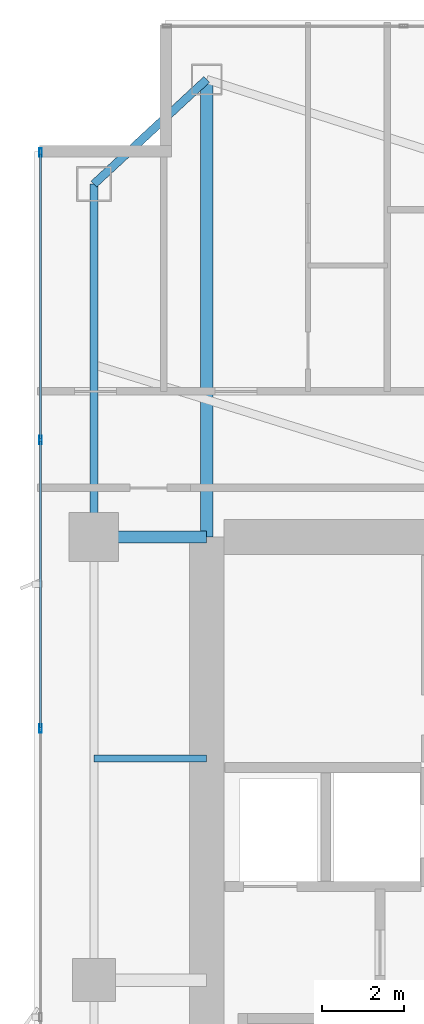
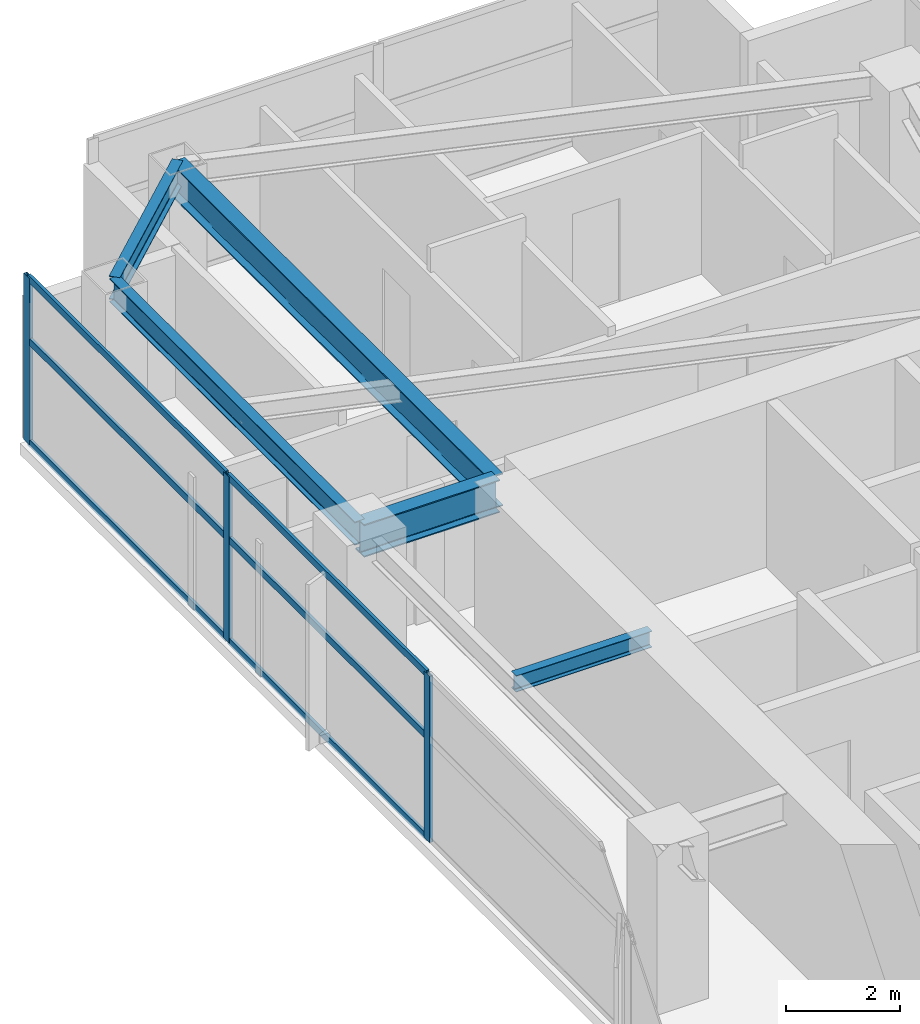
# One storey, part 16 of 28: 9 members, 5 beams, 1 element without a shape of its own.
"""IFC4 building model written with IfcOpenShell, lengths in metres."""

from ifc_helpers import new_model, si_unit, direction, frame, origin, origin_2d, place, context, subcontext, project, spatial, hollow_rectangle, i_section, extrude, material, layer, layer_set, material_profile, profile_set, type_object, element, aggregate, save


model = new_model("IFC4")

# Units and contexts
model_context = context("Model", 3, precision=1e-05, world=origin(), true_north=direction((0.0, 1.0)))
body_context = subcontext(model_context, "Body", "Model", "MODEL_VIEW")
ifc_project = project(units=[si_unit("LENGTHUNIT", "METRE"), si_unit("AREAUNIT", "SQUARE_METRE"), si_unit("VOLUMEUNIT", "CUBIC_METRE"), si_unit("PLANEANGLEUNIT", "RADIAN"), si_unit("MASSUNIT", "GRAM", prefix="KILO")], contexts=[model_context])

# Site, building, storey
site_placement = place(None, origin())
site = spatial("IfcSite", under=ifc_project, at=site_placement, CompositionType="ELEMENT")
building_placement = place(site_placement, origin())
building = spatial("IfcBuilding", under=site, at=building_placement, Name="Calvorn Quay Hotel", CompositionType="ELEMENT")
storey_placement = place(building_placement, frame((0.0, 0.0, 127.800048828125)))
storey = spatial("IfcBuildingStorey", under=building, at=storey_placement, Name="L31", CompositionType="ELEMENT", Elevation=127.800048828125)

# Beams
ifc_material_1 = material(Name="Steel Q390GJC", Category="steel")
ifc_material_profile_1 = material_profile(ifc_material_1, i_section(OverallWidth=0.300048828125, OverallDepth=0.699951171875, WebThickness=0.012939453125, FlangeThickness=0.02392578125, FilletRadius=0.02392578125, at=origin_2d()), Name="HN700x300x13x24")
ifc_profile_set_1 = profile_set([ifc_material_profile_1], Name="Steel Q390GJC")
beam_type_1 = type_object("IfcBeamType", Name="BM-GIRD-MAIN", PredefinedType="BEAM", material=ifc_profile_set_1)
beam_1_placement = place(storey_placement, frame((1.449951171875, 38.39990234375, 3.18994140625), z_axis=(1.0, 0.0, 0.0), x_axis=(0.0, 1.0, 0.0)))
element("IfcBeam", 1, at=beam_1_placement, inside=storey, type_object=beam_type_1, Name="Beam BG-L31-W3", PredefinedType="BEAM", context=body_context, shape_type="SweptSolid", body=[
    extrude(i_section(OverallWidth=0.300048828125, OverallDepth=0.699951171875, WebThickness=0.012939453125, FlangeThickness=0.02392578125, FilletRadius=0.02392578125, at=origin_2d()), origin(), (0.0, 0.0, 1.0), 2.75),
])
beam_2_placement = place(storey_placement, frame((4.199951171875, 49.550048828125, 3.18994140625), z_axis=(0.0, -1.0, 0.0), x_axis=(1.0, 0.0, 0.0)))
element("IfcBeam", 2, at=beam_2_placement, inside=storey, type_object=beam_type_1, Name="Beam BG-L31-W5", PredefinedType="BEAM", context=body_context, shape_type="SweptSolid", body=[
    extrude(i_section(OverallWidth=0.300048828125, OverallDepth=0.699951171875, WebThickness=0.012939453125, FlangeThickness=0.02392578125, FilletRadius=0.02392578125, at=origin_2d()), origin(), (0.0, 0.0, 1.0), 11.150146484375),
])
ifc_material_2 = material(Name="Steel Q355B", Category="steel")
ifc_material_profile_2 = material_profile(ifc_material_2, i_section(OverallWidth=0.175048828125, OverallDepth=0.35009765625, WebThickness=0.007080078125, FlangeThickness=0.010986328125, FilletRadius=0.013916015625, at=origin_2d()), Name="HN350x175x7x11")
ifc_profile_set_2 = profile_set([ifc_material_profile_2], Name="Steel Q355B")
beam_type_2 = type_object("IfcBeamType", Name="BM-JOIST-SEC", PredefinedType="JOIST", material=ifc_profile_set_2)
beam_3_placement = place(storey_placement, frame((1.449951171875, 33.0, 3.364990234375), z_axis=(1.0, 0.0, 0.0), x_axis=(0.0, 1.0, 0.0)))
element("IfcBeam", 3, at=beam_3_placement, inside=storey, type_object=beam_type_2, Name="Beam BJ-L31-W4", PredefinedType="JOIST", context=body_context, shape_type="SweptSolid", body=[
    extrude(i_section(OverallWidth=0.175048828125, OverallDepth=0.35009765625, WebThickness=0.007080078125, FlangeThickness=0.010986328125, FilletRadius=0.013916015625, at=origin_2d()), origin(), (0.0, 0.0, 1.0), 2.75),
])
ifc_material_3 = material(Name="Steel Q355B", Category="steel")
ifc_material_profile_3 = material_profile(ifc_material_3, i_section(OverallWidth=0.199951171875, OverallDepth=0.5, WebThickness=0.010009765625, FlangeThickness=0.01611328125, FilletRadius=0.01611328125, at=origin_2d()), Name="HN500x200x10x16")
ifc_profile_set_3 = profile_set([ifc_material_profile_3], Name="Steel Q355B")
beam_type_3 = type_object("IfcBeamType", Name="BM-SPANDREL-Z1", PredefinedType="SPANDREL", material=ifc_profile_set_3)
beam_4_placement = place(storey_placement, frame((1.449951171875, 38.39990234375, 3.2900390625), z_axis=(0.0, 1.0, 0.0), x_axis=(-1.0, 0.0, 0.0)))
element("IfcBeam", 4, at=beam_4_placement, inside=storey, type_object=beam_type_3, Name="Beam BSP-L31-W4", PredefinedType="SPANDREL", context=body_context, shape_type="SweptSolid", body=[
    extrude(i_section(OverallWidth=0.199951171875, OverallDepth=0.5, WebThickness=0.010009765625, FlangeThickness=0.01611328125, FilletRadius=0.01611328125, at=origin_2d()), origin(), (0.0, 0.0, 1.0), 8.60009765625),
])
beam_5_placement = place(storey_placement, frame((1.449951171875, 47.0, 3.2900390625), z_axis=(0.733261665538, 0.679946563969, 0.0), x_axis=(-0.679946563969, 0.733261665538, 0.0)))
element("IfcBeam", 5, at=beam_5_placement, inside=storey, type_object=beam_type_3, Name="Beam BSP-L31-W5", PredefinedType="SPANDREL", context=body_context, shape_type="SweptSolid", body=[
    extrude(i_section(OverallWidth=0.199951171875, OverallDepth=0.5, WebThickness=0.010009765625, FlangeThickness=0.01611328125, FilletRadius=0.01611328125, at=origin_2d()), origin(), (0.0, 0.0, 1.0), 3.75048828125),
])

# Curtain wall, members
ifc_material_4 = material(Name="Pale Anodised Aluminium and Low-E Glass", Category="aluminium")
ifc_layer = layer(ifc_material_4, 0.219970703125)
ifc_layer_set = layer_set([ifc_layer], Name="CW-SYS-Z2")
curtain_wall_type = type_object("IfcCurtainWallType", Name="CW-SYS-Z2", PredefinedType="NOTDEFINED", material=ifc_layer_set)
curtain_wall_placement = place(storey_placement, origin())
curtain_wall = element("IfcCurtainWall", 6, at=curtain_wall_placement, inside=storey, type_object=curtain_wall_type, Name="Tower West Curtain Wall (L31)", PredefinedType="NOTDEFINED")
ifc_material_5 = material(Name="Pale Anodised Aluminium 6063-T6", Category="aluminium")
ifc_material_profile_4 = material_profile(ifc_material_5, hollow_rectangle(XDim=0.070068359375, YDim=0.199951171875, WallThickness=0.00390625, at=origin_2d()), Name="ALU-M200x70x4")
ifc_profile_set_4 = profile_set([ifc_material_profile_4], Name="Pale Anodised Aluminium 6063-T6")
member_type_1 = type_object("IfcMemberType", Name="CW-SYS-Z2-MUL", PredefinedType="MULLION", material=ifc_profile_set_4)
member_1_placement = place(storey_placement, frame((0.14990234375, 33.7333984375, 0.0), z_axis=(0.0, 0.0, 1.0), x_axis=(-1.0, 0.0, 0.0)))
member_1 = element("IfcMember", 7, at=member_1_placement, type_object=member_type_1, Name="CW-L31-W mullion 5", PredefinedType="MULLION", context=body_context, shape_type="SweptSolid", body=[
    extrude(hollow_rectangle(XDim=0.070068359375, YDim=0.199951171875, WallThickness=0.00390625, at=origin_2d()), origin(), (0.0, 0.0, 1.0), 3.56005859375),
])
member_2_placement = place(storey_placement, frame((0.14990234375, 40.7666015625, 0.0), z_axis=(0.0, 0.0, 1.0), x_axis=(-1.0, 0.0, 0.0)))
member_2 = element("IfcMember", 8, at=member_2_placement, type_object=member_type_1, Name="CW-L31-W mullion 6", PredefinedType="MULLION", context=body_context, shape_type="SweptSolid", body=[
    extrude(hollow_rectangle(XDim=0.070068359375, YDim=0.199951171875, WallThickness=0.00390625, at=origin_2d()), origin(), (0.0, 0.0, 1.0), 3.56005859375),
])
member_3_placement = place(storey_placement, frame((0.14990234375, 47.77001953125, 0.0), z_axis=(0.0, 0.0, 1.0), x_axis=(-1.0, 0.0, 0.0)))
member_3 = element("IfcMember", 9, at=member_3_placement, type_object=member_type_1, Name="CW-L31-W mullion 7", PredefinedType="MULLION", context=body_context, shape_type="SweptSolid", body=[
    extrude(hollow_rectangle(XDim=0.070068359375, YDim=0.199951171875, WallThickness=0.00390625, at=origin_2d()), origin(), (0.0, 0.0, 1.0), 3.56005859375),
])
ifc_material_6 = material(Name="Pale Anodised Aluminium 6063-T6", Category="aluminium")
ifc_material_profile_5 = material_profile(ifc_material_6, hollow_rectangle(XDim=0.06005859375, YDim=0.14990234375, WallThickness=0.00341796875, at=origin_2d()), Name="ALU-T150x60x3.5")
ifc_profile_set_5 = profile_set([ifc_material_profile_5], Name="Pale Anodised Aluminium 6063-T6")
member_type_2 = type_object("IfcMemberType", Name="CW-SYS-Z2-TRN", PredefinedType="USERDEFINED", material=ifc_profile_set_5)
member_4_placement = place(storey_placement, frame((0.14990234375, 33.763427734375, 0.030029296875), z_axis=(0.0, 1.0, 0.0), x_axis=(-1.0, 0.0, 0.0)))
member_4 = element("IfcMember", 10, at=member_4_placement, type_object=member_type_2, Name="CW-L31-W transom 5.1", ObjectType="TRANSOM", PredefinedType="USERDEFINED", context=body_context, shape_type="SweptSolid", body=[
    extrude(hollow_rectangle(XDim=0.06005859375, YDim=0.14990234375, WallThickness=0.00341796875, at=origin_2d()), origin(), (0.0, 0.0, 1.0), 6.97314453125),
])
member_5_placement = place(storey_placement, frame((0.14990234375, 33.763427734375, 2.199951171875), z_axis=(0.0, 1.0, 0.0), x_axis=(-1.0, 0.0, 0.0)))
member_5 = element("IfcMember", 11, at=member_5_placement, type_object=member_type_2, Name="CW-L31-W transom 5.2", ObjectType="TRANSOM", PredefinedType="USERDEFINED", context=body_context, shape_type="SweptSolid", body=[
    extrude(hollow_rectangle(XDim=0.06005859375, YDim=0.14990234375, WallThickness=0.00341796875, at=origin_2d()), origin(), (0.0, 0.0, 1.0), 6.97314453125),
])
member_6_placement = place(storey_placement, frame((0.14990234375, 33.763427734375, 3.530029296875), z_axis=(0.0, 1.0, 0.0), x_axis=(-1.0, 0.0, 0.0)))
member_6 = element("IfcMember", 12, at=member_6_placement, type_object=member_type_2, Name="CW-L31-W transom 5.3", ObjectType="TRANSOM", PredefinedType="USERDEFINED", context=body_context, shape_type="SweptSolid", body=[
    extrude(hollow_rectangle(XDim=0.06005859375, YDim=0.14990234375, WallThickness=0.00341796875, at=origin_2d()), origin(), (0.0, 0.0, 1.0), 6.97314453125),
])
member_7_placement = place(storey_placement, frame((0.14990234375, 40.796630859375, 0.030029296875), z_axis=(0.0, 1.0, 0.0), x_axis=(-1.0, 0.0, 0.0)))
member_7 = element("IfcMember", 13, at=member_7_placement, type_object=member_type_2, Name="CW-L31-W transom 6.1", ObjectType="TRANSOM", PredefinedType="USERDEFINED", context=body_context, shape_type="SweptSolid", body=[
    extrude(hollow_rectangle(XDim=0.06005859375, YDim=0.14990234375, WallThickness=0.00341796875, at=origin_2d()), origin(), (0.0, 0.0, 1.0), 6.943359375),
])
member_8_placement = place(storey_placement, frame((0.14990234375, 40.796630859375, 2.199951171875), z_axis=(0.0, 1.0, 0.0), x_axis=(-1.0, 0.0, 0.0)))
member_8 = element("IfcMember", 14, at=member_8_placement, type_object=member_type_2, Name="CW-L31-W transom 6.2", ObjectType="TRANSOM", PredefinedType="USERDEFINED", context=body_context, shape_type="SweptSolid", body=[
    extrude(hollow_rectangle(XDim=0.06005859375, YDim=0.14990234375, WallThickness=0.00341796875, at=origin_2d()), origin(), (0.0, 0.0, 1.0), 6.943359375),
])
member_9_placement = place(storey_placement, frame((0.14990234375, 40.796630859375, 3.530029296875), z_axis=(0.0, 1.0, 0.0), x_axis=(-1.0, 0.0, 0.0)))
member_9 = element("IfcMember", 15, at=member_9_placement, type_object=member_type_2, Name="CW-L31-W transom 6.3", ObjectType="TRANSOM", PredefinedType="USERDEFINED", context=body_context, shape_type="SweptSolid", body=[
    extrude(hollow_rectangle(XDim=0.06005859375, YDim=0.14990234375, WallThickness=0.00341796875, at=origin_2d()), origin(), (0.0, 0.0, 1.0), 6.943359375),
])
aggregate(curtain_wall, [member_1, member_2, member_3, member_4, member_5, member_6, member_7, member_8, member_9])

save(model, "model.ifc")
